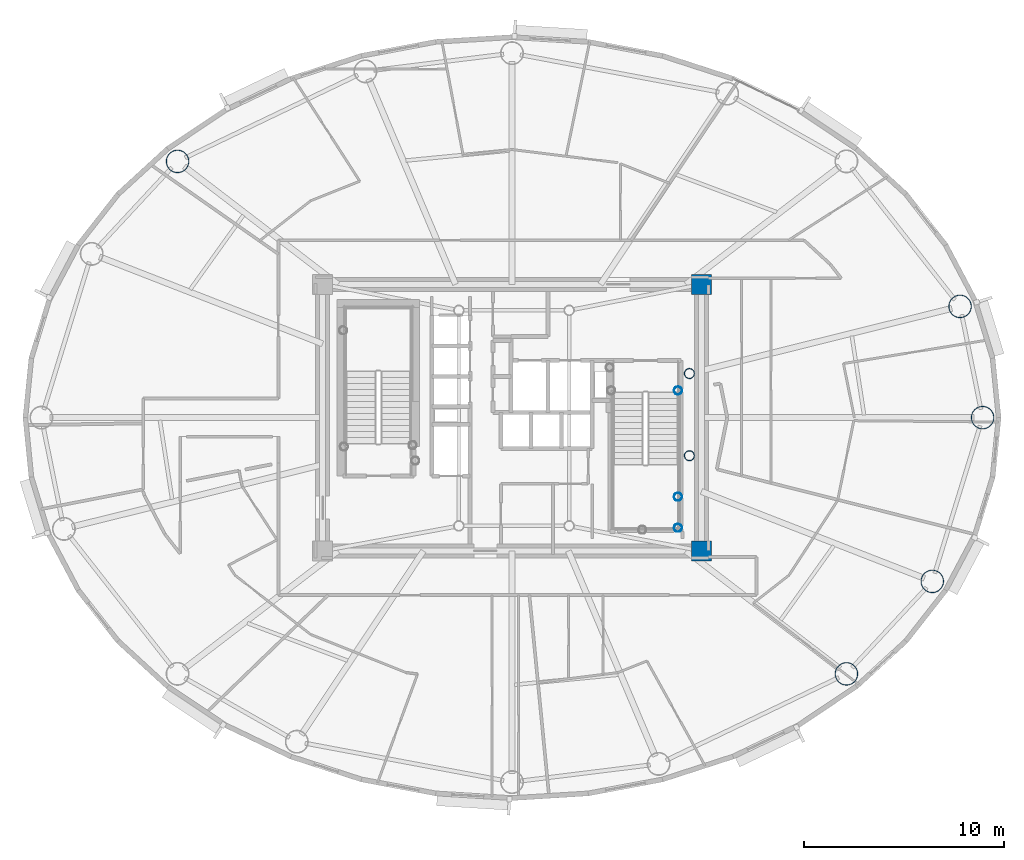
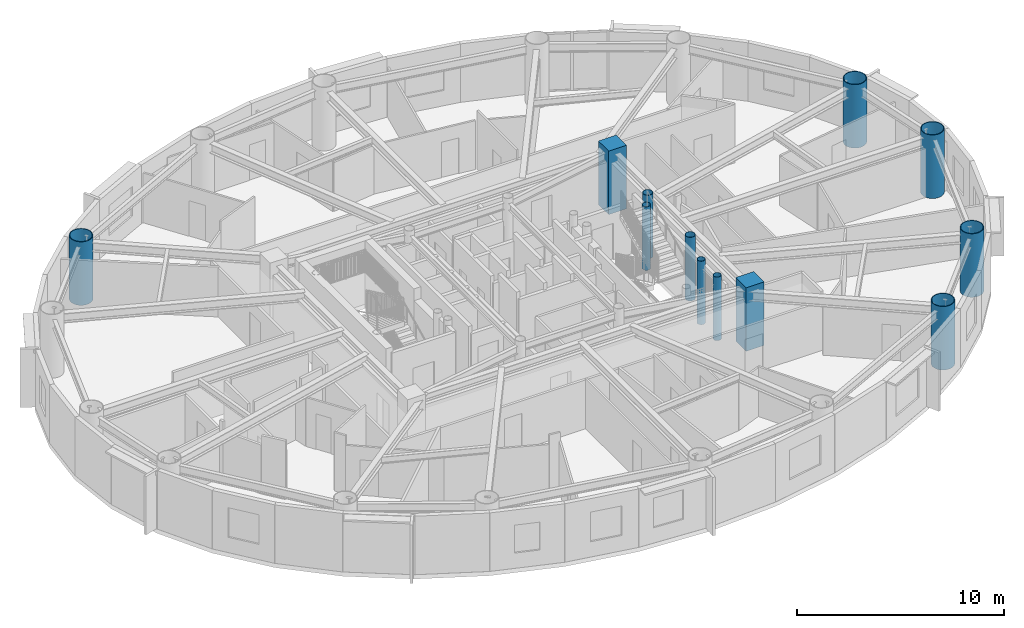
# One storey, part 2 of 18: 12 columns.
"""IFC4 building model written with IfcOpenShell, lengths in metres."""

from ifc_helpers import new_model, si_unit, direction, frame, origin, origin_2d, place, context, subcontext, project, spatial, rectangle, hollow_circle, extrude, material, material_profile, profile_set, type_object, element, save


model = new_model("IFC4")

# Units and contexts
model_context = context("Model", 3, precision=1e-05, world=origin(), true_north=direction((0.0, 1.0)))
body_context = subcontext(model_context, "Body", "Model", "MODEL_VIEW")
ifc_project = project(units=[si_unit("LENGTHUNIT", "METRE"), si_unit("AREAUNIT", "SQUARE_METRE"), si_unit("VOLUMEUNIT", "CUBIC_METRE"), si_unit("PLANEANGLEUNIT", "RADIAN"), si_unit("MASSUNIT", "GRAM", prefix="KILO")], contexts=[model_context])

# Site, building, storey
site_placement = place(None, origin())
site = spatial("IfcSite", under=ifc_project, at=site_placement, CompositionType="ELEMENT")
building_placement = place(site_placement, origin())
building = spatial("IfcBuilding", under=site, at=building_placement, Name="Linh Dai School and Residence Tower", CompositionType="ELEMENT")
storey_placement = place(building_placement, frame((0.0, 0.0, 259.050048828125)))
storey = spatial("IfcBuildingStorey", under=building, at=storey_placement, Name="L64", CompositionType="ELEMENT", Elevation=259.050048828125)

# Columns
ifc_material_1 = material(Name="Concrete B45 (C35/45)", Category="concrete")
ifc_material_profile_1 = material_profile(ifc_material_1, rectangle(XDim=1.0, YDim=1.0, at=origin_2d()), Name="RC 1000x1000")
ifc_profile_set_1 = profile_set([ifc_material_profile_1], Name="Concrete B45 (C35/45)")
column_type_1 = type_object("IfcColumnType", Name="COL-CC3", PredefinedType="COLUMN", material=ifc_profile_set_1)
for number, where, z_axis, x_axis, name in (
    (1, (45.449951171875, 20.35009765625, 0.0), (0.0, 0.0, 1.0), (1.0, 0.0, 0.0), "L64 Core Corner Pier CC2"),
    (2, (45.449951171875, 33.64990234375, 0.0), (0.0, 0.0, 1.0), (1.0, 0.0, 0.0), "L64 Core Corner Pier CC3"),
):
    element("IfcColumn", number, at=place(storey_placement, frame(where, z_axis=z_axis, x_axis=x_axis)), inside=storey, type_object=column_type_1, Name=name, PredefinedType="COLUMN", context=body_context, shape_type="SweptSolid", body=[
        extrude(rectangle(XDim=1.0, YDim=1.0, at=origin_2d()), origin(), (0.0, 0.0, 1.0), 3.75),
    ])
ifc_material_2 = material(Name="Structural Steel S355JR", Category="steel")
ifc_material_profile_2 = material_profile(ifc_material_2, hollow_circle(Radius=0.203125, WallThickness=0.01611328125, at=origin_2d()), Name="CHS 406.4x16")
ifc_profile_set_2 = profile_set([ifc_material_profile_2], Name="Structural Steel S355JR")
column_type_2 = type_object("IfcColumnType", Name="COL-EC", PredefinedType="COLUMN", material=ifc_profile_set_2)
for number, where, z_axis, x_axis, name in (
    (3, (44.280029296875, 21.5, 0.0), (0.0, 0.0, 1.0), (1.0, 0.0, 0.0), "L64 Stair Shaft Landing Support Pier ST2SE"),
    (4, (44.280029296875, 23.050048828125, 0.0), (0.0, 0.0, 1.0), (1.0, 0.0, 0.0), "L64 Stair Shaft Landing Support Pier ST2NE"),
    (5, (44.280029296875, 28.35009765625, 0.0), (0.0, 0.0, 1.0), (1.0, 0.0, 0.0), "L64 Stair Shaft Landing Support Pier ST2N2"),
):
    element("IfcColumn", number, at=place(storey_placement, frame(where, z_axis=z_axis, x_axis=x_axis)), inside=storey, type_object=column_type_2, Name=name, PredefinedType="COLUMN", context=body_context, shape_type="SweptSolid", body=[
        extrude(hollow_circle(Radius=0.203125, WallThickness=0.01611328125, at=origin_2d()), origin(), (0.0, 0.0, 1.0), 3.75),
    ])
ifc_material_profile_3 = material_profile(ifc_material_2, hollow_circle(Radius=0.574951171875, WallThickness=0.035888671875, at=origin_2d()), Name="CHS 1150x36")
ifc_profile_set_3 = profile_set([ifc_material_profile_3], Name="Structural Steel S355JR")
column_type_3 = type_object("IfcColumnType", Name="COL-MC5", PredefinedType="COLUMN", material=ifc_profile_set_3)
for number, where, z_axis, x_axis, name in (
    (6, (59.47509765625, 27.0, 0.0), (0.0, 0.0, 1.0), (1.0, 0.0, 0.0), "L64 Perimeter CFT Mega-Column MC01"),
    (7, (58.351318359375, 32.54931640625, 0.0), (0.0, 0.0, 1.0), (1.0, 0.0, 0.0), "L64 Perimeter CFT Mega-Column MC02"),
    (8, (19.31689453125, 39.781005859375, 0.0), (0.0, 0.0, 1.0), (1.0, 0.0, 0.0), "L64 Perimeter CFT Mega-Column MC07"),
    (9, (52.68310546875, 14.218994140625, 0.0), (0.0, 0.0, 1.0), (1.0, 0.0, 0.0), "L64 Perimeter CFT Mega-Column MC15"),
    (10, (56.96533203125, 18.8310546875, 0.0), (0.0, 0.0, 1.0), (1.0, 0.0, 0.0), "L64 Perimeter CFT Mega-Column MC16"),
):
    element("IfcColumn", number, at=place(storey_placement, frame(where, z_axis=z_axis, x_axis=x_axis)), inside=storey, type_object=column_type_3, Name=name, PredefinedType="COLUMN", context=body_context, shape_type="SweptSolid", body=[
        extrude(hollow_circle(Radius=0.574951171875, WallThickness=0.035888671875, at=origin_2d()), origin(), (0.0, 0.0, 1.0), 3.75),
    ])
ifc_material_profile_4 = material_profile(ifc_material_2, hollow_circle(Radius=0.25390625, WallThickness=0.02001953125, at=origin_2d()), Name="CHS 508x20")
ifc_profile_set_4 = profile_set([ifc_material_profile_4], Name="Structural Steel S355JR")
column_type_4 = type_object("IfcColumnType", Name="COL-MCP", PredefinedType="COLUMN", material=ifc_profile_set_4)
for number, where, z_axis, x_axis, name in (
    (11, (44.85009765625, 25.10009765625, 0.0), (0.0, 0.0, 1.0), (1.0, 0.0, 0.0), "L64 Sky-Lounge Core Anchor Pier S"),
    (12, (44.85009765625, 29.199951171875, 0.0), (0.0, 0.0, 1.0), (1.0, 0.0, 0.0), "L64 Sky-Lounge Core Anchor Pier N"),
):
    element("IfcColumn", number, at=place(storey_placement, frame(where, z_axis=z_axis, x_axis=x_axis)), inside=storey, type_object=column_type_4, Name=name, PredefinedType="COLUMN", context=body_context, shape_type="SweptSolid", body=[
        extrude(hollow_circle(Radius=0.25390625, WallThickness=0.02001953125, at=origin_2d()), origin(), (0.0, 0.0, 1.0), 3.75),
    ])

save(model, "model.ifc")
